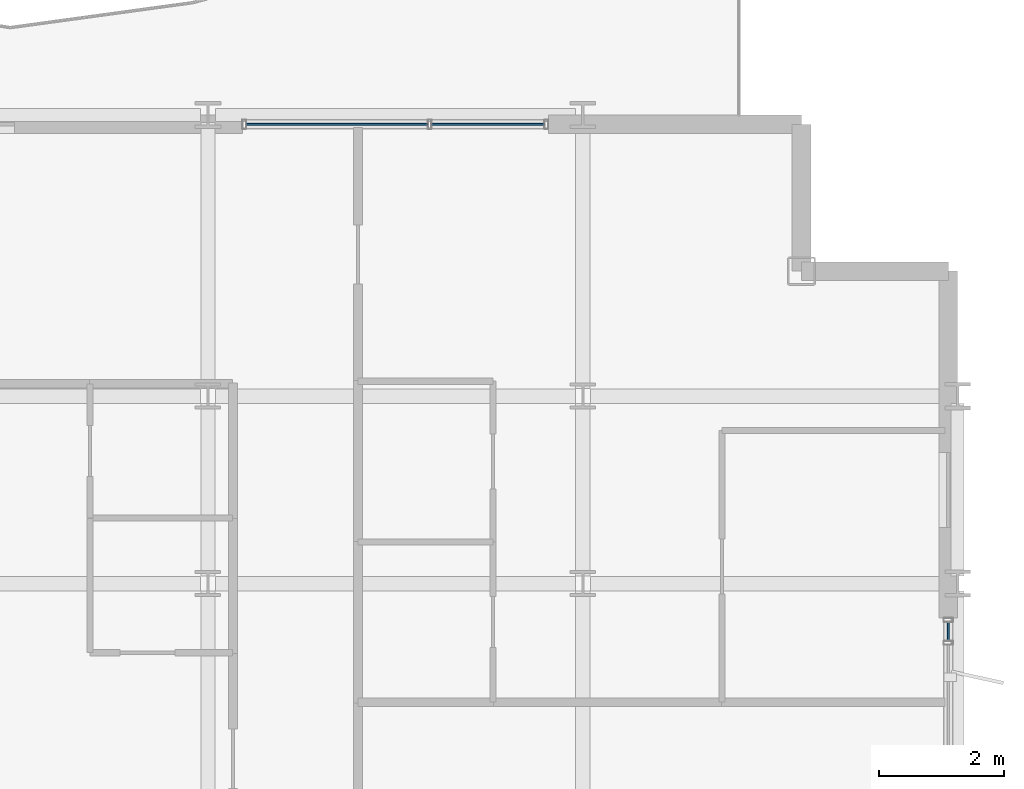
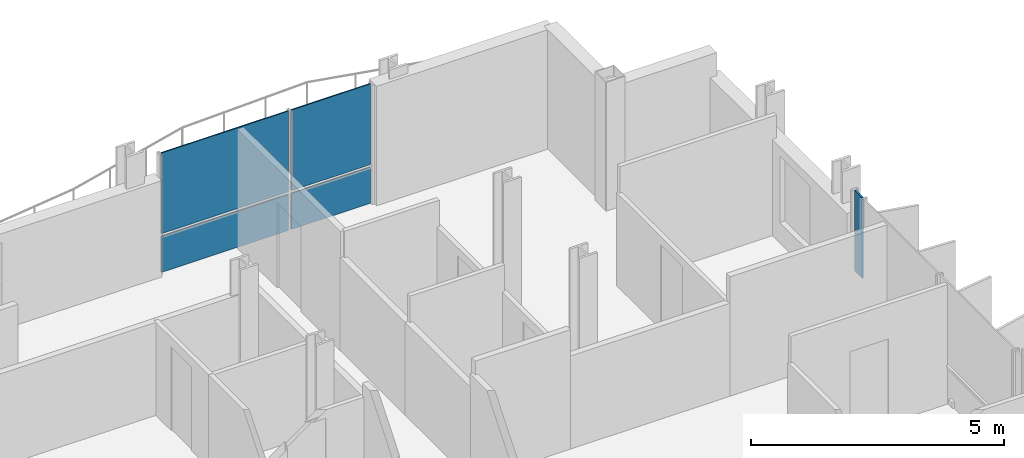
# One storey, part 24 of 38: 5 plates, 2 elements without a shape of their own.
"""IFC4 building model written with IfcOpenShell, lengths in metres."""

from ifc_helpers import new_model, si_unit, direction, frame, origin, origin_2d, place, context, subcontext, project, spatial, rectangle, extrude, material, layer, layer_set, type_object, element, aggregate, save


model = new_model("IFC4")

# Units and contexts
model_context = context("Model", 3, precision=1e-05, world=origin(), true_north=direction((0.0, 1.0)))
body_context = subcontext(model_context, "Body", "Model", "MODEL_VIEW")
ifc_project = project(units=[si_unit("LENGTHUNIT", "METRE"), si_unit("AREAUNIT", "SQUARE_METRE"), si_unit("VOLUMEUNIT", "CUBIC_METRE"), si_unit("PLANEANGLEUNIT", "RADIAN"), si_unit("MASSUNIT", "GRAM", prefix="KILO")], contexts=[model_context])

# Site, building, storey
site_placement = place(None, origin())
site = spatial("IfcSite", under=ifc_project, at=site_placement, CompositionType="ELEMENT")
building_placement = place(site_placement, origin())
building = spatial("IfcBuilding", under=site, at=building_placement, Name="Brevholm Reach", CompositionType="ELEMENT")
storey_placement = place(building_placement, frame((0.0, 0.0, 128.300048828125)))
storey = spatial("IfcBuildingStorey", under=building, at=storey_placement, Name="L38", CompositionType="ELEMENT", Elevation=128.300048828125)

# Curtain wall, plate
ifc_material_1 = material(Name="Dark Anodised Aluminium 6063-T6 and Solar-Control Glass", Category="aluminium")
ifc_layer_1 = layer(ifc_material_1, 0.14990234375)
ifc_layer_set_1 = layer_set([ifc_layer_1], Name="Dark Anodised Aluminium 6063-T6 and Solar-Control Glass")
curtain_wall_type = type_object("IfcCurtainWallType", Name="CW-01", PredefinedType="NOTDEFINED", material=ifc_layer_set_1)
curtain_wall_1_placement = place(storey_placement, origin())
curtain_wall_1 = element("IfcCurtainWall", 1, at=curtain_wall_1_placement, inside=storey, type_object=curtain_wall_type, Name="L38 Curtain Wall CW-01", PredefinedType="NOTDEFINED")
ifc_material_2 = material(Name="Dark Solar-Control Double-Glazed IGU Glass", Category="glass")
ifc_layer_2 = layer(ifc_material_2, 0.028076171875)
ifc_layer_set_2 = layer_set([ifc_layer_2], Name="Dark Solar-Control Double-Glazed IGU Glass")
plate_type = type_object("IfcPlateType", Name="CWP-GLZ-28", PredefinedType="CURTAIN_PANEL", material=ifc_layer_set_2)
plate_1_placement = place(storey_placement, frame((59.85009765625, 22.733642578125, 0.9326171875), z_axis=(0.0, 0.0, 1.0), x_axis=(0.0, 1.0, 0.0)))
plate_1 = element("IfcPlate", 2, at=plate_1_placement, type_object=plate_type, Name="CP-01 Glazing Panel 5.2", PredefinedType="CURTAIN_PANEL", context=body_context, shape_type="SweptSolid", body=[
    extrude(rectangle(XDim=0.302490234375, YDim=0.028076171875, at=origin_2d()), origin(), (0.0, 0.0, 1.0), 1.947509765625),
])
aggregate(curtain_wall_1, [plate_1])

# Curtain wall, plates
curtain_wall_2_placement = place(storey_placement, origin())
curtain_wall_2 = element("IfcCurtainWall", 3, at=curtain_wall_2_placement, inside=storey, type_object=curtain_wall_type, Name="L38 Curtain Wall CW-01", PredefinedType="NOTDEFINED")
plate_2_placement = place(storey_placement, frame((50.066162109375, 30.85009765625, 0.0), z_axis=(0.0, 0.0, 1.0), x_axis=(1.0, 0.0, 0.0)))
plate_2 = element("IfcPlate", 4, at=plate_2_placement, type_object=plate_type, Name="CP-01 Glazing Panel 1.1", PredefinedType="CURTAIN_PANEL", context=body_context, shape_type="SweptSolid", body=[
    extrude(rectangle(XDim=2.902587890625, YDim=0.028076171875, at=origin_2d()), origin(), (0.0, 0.0, 1.0), 0.867431640625),
])
plate_3_placement = place(storey_placement, frame((50.066162109375, 30.85009765625, 0.9326171875), z_axis=(0.0, 0.0, 1.0), x_axis=(1.0, 0.0, 0.0)))
plate_3 = element("IfcPlate", 5, at=plate_3_placement, type_object=plate_type, Name="CP-01 Glazing Panel 1.2", PredefinedType="CURTAIN_PANEL", context=body_context, shape_type="SweptSolid", body=[
    extrude(rectangle(XDim=2.902587890625, YDim=0.028076171875, at=origin_2d()), origin(), (0.0, 0.0, 1.0), 1.947509765625),
])
plate_4_placement = place(storey_placement, frame((52.483642578125, 30.85009765625, 0.0), z_axis=(0.0, 0.0, 1.0), x_axis=(1.0, 0.0, 0.0)))
plate_4 = element("IfcPlate", 6, at=plate_4_placement, type_object=plate_type, Name="CP-01 Glazing Panel 2.1", PredefinedType="CURTAIN_PANEL", context=body_context, shape_type="SweptSolid", body=[
    extrude(rectangle(XDim=1.802490234375, YDim=0.028076171875, at=origin_2d()), origin(), (0.0, 0.0, 1.0), 0.867431640625),
])
plate_5_placement = place(storey_placement, frame((52.483642578125, 30.85009765625, 0.9326171875), z_axis=(0.0, 0.0, 1.0), x_axis=(1.0, 0.0, 0.0)))
plate_5 = element("IfcPlate", 7, at=plate_5_placement, type_object=plate_type, Name="CP-01 Glazing Panel 2.2", PredefinedType="CURTAIN_PANEL", context=body_context, shape_type="SweptSolid", body=[
    extrude(rectangle(XDim=1.802490234375, YDim=0.028076171875, at=origin_2d()), origin(), (0.0, 0.0, 1.0), 1.947509765625),
])
aggregate(curtain_wall_2, [plate_2, plate_3, plate_4, plate_5])

save(model, "model.ifc")
